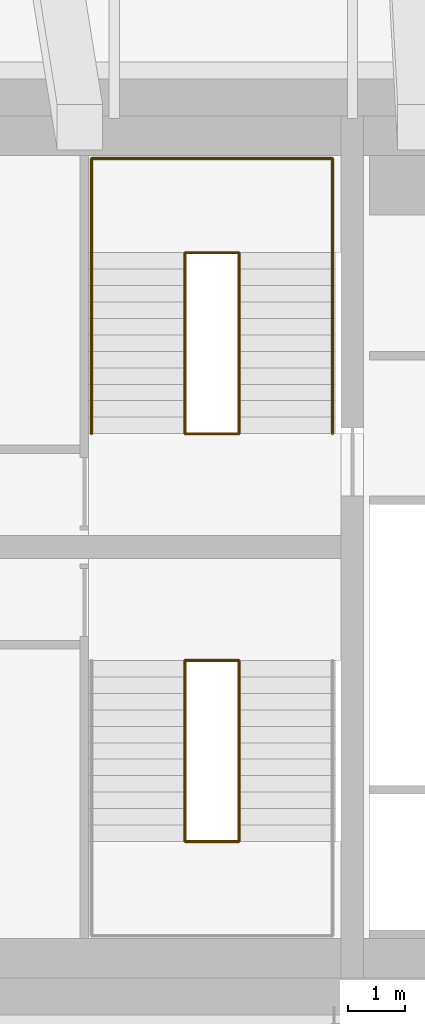
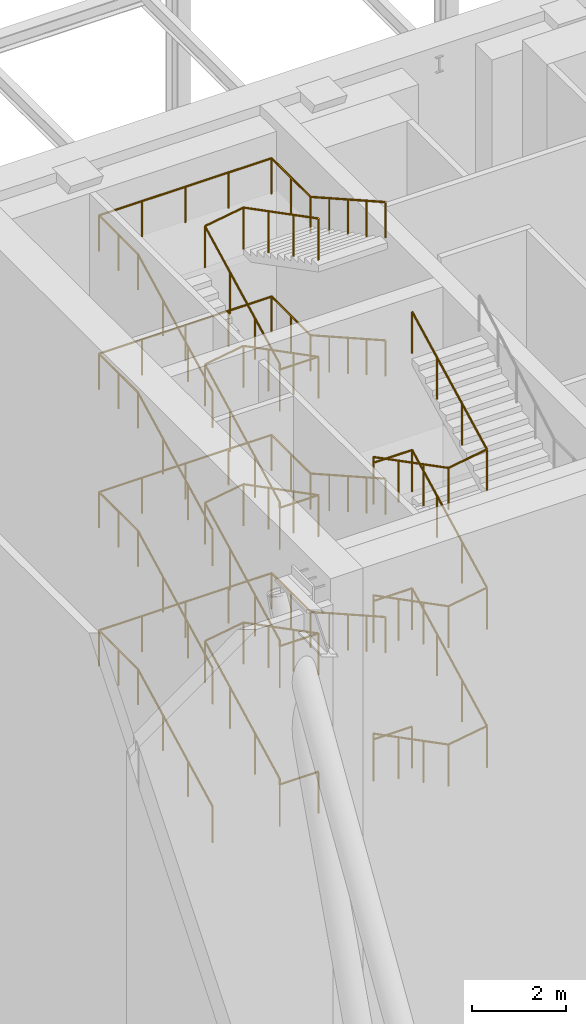
# One storey, part 17 of 20: 11 railings.
"""IFC4 building model written with IfcOpenShell, lengths in metres."""

from ifc_helpers import new_model, si_unit, direction, frame, origin, origin_2d, place, context, subcontext, project, spatial, circle, extrude, material, type_object, element, save


model = new_model("IFC4")

# Units and contexts
model_context = context("Model", 3, precision=1e-05, world=origin(), true_north=direction((0.0, 1.0)))
body_context = subcontext(model_context, "Body", "Model", "MODEL_VIEW")
ifc_project = project(units=[si_unit("LENGTHUNIT", "METRE"), si_unit("AREAUNIT", "SQUARE_METRE"), si_unit("VOLUMEUNIT", "CUBIC_METRE"), si_unit("PLANEANGLEUNIT", "RADIAN"), si_unit("MASSUNIT", "GRAM", prefix="KILO")], contexts=[model_context])

# Site, building, storey
site_placement = place(None, origin())
site = spatial("IfcSite", under=ifc_project, at=site_placement, CompositionType="ELEMENT")
building_placement = place(site_placement, origin())
building = spatial("IfcBuilding", under=site, at=building_placement, Name="Marenta Gate Hotel Tower", CompositionType="ELEMENT")
storey_placement = place(building_placement, frame((0.0, 0.0, 252.5)))
storey = spatial("IfcBuildingStorey", under=building, at=storey_placement, Name="L60", CompositionType="ELEMENT", Elevation=252.5)

# Railings
ifc_material_1 = material(Name="Stainless steel", Category="steel")
railing_type_1 = type_object("IfcRailingType", Name="Core stair handrail 950", PredefinedType="HANDRAIL", material=ifc_material_1)
railing_1_placement = place(storey_placement, frame((-8.800048828125, 10.39990234375, 0.14990234375)))
element("IfcRailing", 1, at=railing_1_placement, inside=storey, type_object=railing_type_1, Name="HR-950 L60-KR-ST2-1", PredefinedType="HANDRAIL", context=body_context, shape_type="SweptSolid", body=[
    extrude(circle(Radius=0.02392578125, at=origin_2d()), frame((0.0, 0.0, 0.92578125), z_axis=(0.0, 0.888211904222, 0.459434013977), x_axis=(-1.0, 0.0, 0.0)), (0.0, 0.0, 1.0), 3.591796875),
    extrude(circle(Radius=0.02392578125, at=origin_2d()), frame((0.0, 3.190185546875, 2.576171875), z_axis=(0.0, 1.0, 0.0), x_axis=(-1.0, 0.0, 0.0)), (0.0, 0.0, 1.0), 1.659912109375),
    extrude(circle(Radius=0.02392578125, at=origin_2d()), frame((0.0, 4.85009765625, 2.576171875), z_axis=(1.0, 0.0, 0.0), x_axis=(0.0, 1.0, 0.0)), (0.0, 0.0, 1.0), 4.25),
    extrude(circle(Radius=0.02392578125, at=origin_2d()), frame((4.25, 4.85009765625, 2.576171875), z_axis=(0.0, -1.0, 0.0), x_axis=(1.0, 0.0, 0.0)), (0.0, 0.0, 1.0), 1.659912109375),
    extrude(circle(Radius=0.02392578125, at=origin_2d()), frame((4.25, 3.190185546875, 2.576171875), z_axis=(0.0, -0.870925075533, 0.491415824742), x_axis=(1.0, 0.0, 0.0)), (0.0, 0.0, 1.0), 3.6630859375),
    extrude(circle(Radius=0.02099609375, at=origin_2d()), origin(), (0.0, 0.0, 1.0), 0.90185546875),
    extrude(circle(Radius=0.02099609375, at=origin_2d()), frame((0.0, 1.0634765625, 0.550048828125)), (0.0, 0.0, 1.0), 0.90185546875),
    extrude(circle(Radius=0.02099609375, at=origin_2d()), frame((0.0, 2.126708984375, 1.10009765625)), (0.0, 0.0, 1.0), 0.90185546875),
    extrude(circle(Radius=0.02099609375, at=origin_2d()), frame((0.0, 3.190185546875, 1.650146484375)), (0.0, 0.0, 1.0), 0.90185546875),
    extrude(circle(Radius=0.02099609375, at=origin_2d()), frame((0.0, 4.02001953125, 1.650146484375)), (0.0, 0.0, 1.0), 0.90185546875),
    extrude(circle(Radius=0.02099609375, at=origin_2d()), frame((0.0, 4.85009765625, 1.650146484375)), (0.0, 0.0, 1.0), 0.90185546875),
    extrude(circle(Radius=0.02099609375, at=origin_2d()), frame((1.0625, 4.85009765625, 1.650146484375)), (0.0, 0.0, 1.0), 0.90185546875),
    extrude(circle(Radius=0.02099609375, at=origin_2d()), frame((2.125, 4.85009765625, 1.650146484375)), (0.0, 0.0, 1.0), 0.90185546875),
    extrude(circle(Radius=0.02099609375, at=origin_2d()), frame((3.1875, 4.85009765625, 1.650146484375)), (0.0, 0.0, 1.0), 0.90185546875),
    extrude(circle(Radius=0.02099609375, at=origin_2d()), frame((4.25, 4.85009765625, 1.650146484375)), (0.0, 0.0, 1.0), 0.90185546875),
    extrude(circle(Radius=0.02099609375, at=origin_2d()), frame((4.25, 4.02001953125, 1.650146484375)), (0.0, 0.0, 1.0), 0.90185546875),
    extrude(circle(Radius=0.02099609375, at=origin_2d()), frame((4.25, 3.190185546875, 1.650146484375)), (0.0, 0.0, 1.0), 0.90185546875),
    extrude(circle(Radius=0.02099609375, at=origin_2d()), frame((4.25, 2.392578125, 2.10009765625)), (0.0, 0.0, 1.0), 0.90185546875),
    extrude(circle(Radius=0.02099609375, at=origin_2d()), frame((4.25, 1.59521484375, 2.55029296875)), (0.0, 0.0, 1.0), 0.90185546875),
    extrude(circle(Radius=0.02099609375, at=origin_2d()), frame((4.25, 0.797607421875, 3.000244140625)), (0.0, 0.0, 1.0), 0.90185546875),
    extrude(circle(Radius=0.02099609375, at=origin_2d()), frame((4.25, 0.0, 3.4501953125)), (0.0, 0.0, 1.0), 0.90185546875),
])
railing_2_placement = place(storey_placement, frame((-8.800048828125, 10.39990234375, 3.75)))
element("IfcRailing", 2, at=railing_2_placement, inside=storey, type_object=railing_type_1, Name="HR-950 L60-KR-ST2-3", PredefinedType="HANDRAIL", context=body_context, shape_type="SweptSolid", body=[
    extrude(circle(Radius=0.02392578125, at=origin_2d()), frame((0.0, 0.0, 0.92578125), z_axis=(0.0, 0.888239641807, 0.459380385653), x_axis=(-1.0, 0.0, 0.0)), (0.0, 0.0, 1.0), 3.591552734375),
    extrude(circle(Radius=0.02392578125, at=origin_2d()), frame((0.0, 3.190185546875, 2.57568359375), z_axis=(0.0, 1.0, 0.0), x_axis=(-1.0, 0.0, 0.0)), (0.0, 0.0, 1.0), 1.659912109375),
    extrude(circle(Radius=0.02392578125, at=origin_2d()), frame((0.0, 4.85009765625, 2.57568359375), z_axis=(1.0, 0.0, 0.0), x_axis=(0.0, 1.0, 0.0)), (0.0, 0.0, 1.0), 4.25),
    extrude(circle(Radius=0.02392578125, at=origin_2d()), frame((4.25, 4.85009765625, 2.57568359375), z_axis=(0.0, -1.0, 0.0), x_axis=(1.0, 0.0, 0.0)), (0.0, 0.0, 1.0), 1.659912109375),
    extrude(circle(Radius=0.02392578125, at=origin_2d()), frame((4.25, 3.190185546875, 2.57568359375), z_axis=(0.0, -0.870925075533, 0.491415824742), x_axis=(1.0, 0.0, 0.0)), (0.0, 0.0, 1.0), 3.6630859375),
    extrude(circle(Radius=0.02099609375, at=origin_2d()), origin(), (0.0, 0.0, 1.0), 0.90185546875),
    extrude(circle(Radius=0.02099609375, at=origin_2d()), frame((0.0, 1.0634765625, 0.550048828125)), (0.0, 0.0, 1.0), 0.90185546875),
    extrude(circle(Radius=0.02099609375, at=origin_2d()), frame((0.0, 2.126708984375, 1.099853515625)), (0.0, 0.0, 1.0), 0.90185546875),
    extrude(circle(Radius=0.02099609375, at=origin_2d()), frame((0.0, 3.190185546875, 1.64990234375)), (0.0, 0.0, 1.0), 0.90185546875),
    extrude(circle(Radius=0.02099609375, at=origin_2d()), frame((0.0, 4.02001953125, 1.64990234375)), (0.0, 0.0, 1.0), 0.90185546875),
    extrude(circle(Radius=0.02099609375, at=origin_2d()), frame((0.0, 4.85009765625, 1.64990234375)), (0.0, 0.0, 1.0), 0.90185546875),
    extrude(circle(Radius=0.02099609375, at=origin_2d()), frame((1.0625, 4.85009765625, 1.64990234375)), (0.0, 0.0, 1.0), 0.90185546875),
    extrude(circle(Radius=0.02099609375, at=origin_2d()), frame((2.125, 4.85009765625, 1.64990234375)), (0.0, 0.0, 1.0), 0.90185546875),
    extrude(circle(Radius=0.02099609375, at=origin_2d()), frame((3.1875, 4.85009765625, 1.64990234375)), (0.0, 0.0, 1.0), 0.90185546875),
    extrude(circle(Radius=0.02099609375, at=origin_2d()), frame((4.25, 4.85009765625, 1.64990234375)), (0.0, 0.0, 1.0), 0.90185546875),
    extrude(circle(Radius=0.02099609375, at=origin_2d()), frame((4.25, 4.02001953125, 1.64990234375)), (0.0, 0.0, 1.0), 0.90185546875),
    extrude(circle(Radius=0.02099609375, at=origin_2d()), frame((4.25, 3.190185546875, 1.64990234375)), (0.0, 0.0, 1.0), 0.90185546875),
    extrude(circle(Radius=0.02099609375, at=origin_2d()), frame((4.25, 2.392578125, 2.099853515625)), (0.0, 0.0, 1.0), 0.90185546875),
    extrude(circle(Radius=0.02099609375, at=origin_2d()), frame((4.25, 1.59521484375, 2.5498046875)), (0.0, 0.0, 1.0), 0.90185546875),
    extrude(circle(Radius=0.02099609375, at=origin_2d()), frame((4.25, 0.797607421875, 3.0)), (0.0, 0.0, 1.0), 0.90185546875),
    extrude(circle(Radius=0.02099609375, at=origin_2d()), frame((4.25, 0.0, 3.449951171875)), (0.0, 0.0, 1.0), 0.90185546875),
])
railing_3_placement = place(storey_placement, frame((-8.800048828125, 10.39990234375, 7.35009765625)))
element("IfcRailing", 3, at=railing_3_placement, inside=storey, type_object=railing_type_1, Name="HR-950 L60-KR-ST2-5", PredefinedType="HANDRAIL", context=body_context, shape_type="SweptSolid", body=[
    extrude(circle(Radius=0.02392578125, at=origin_2d()), frame((0.0, 0.0, 0.92578125), z_axis=(0.0, 0.888239641807, 0.459380385653), x_axis=(-1.0, 0.0, 0.0)), (0.0, 0.0, 1.0), 3.591552734375),
    extrude(circle(Radius=0.02392578125, at=origin_2d()), frame((0.0, 3.190185546875, 2.57568359375), z_axis=(0.0, 1.0, 0.0), x_axis=(-1.0, 0.0, 0.0)), (0.0, 0.0, 1.0), 1.659912109375),
    extrude(circle(Radius=0.02392578125, at=origin_2d()), frame((0.0, 4.85009765625, 2.57568359375), z_axis=(1.0, 0.0, 0.0), x_axis=(0.0, 1.0, 0.0)), (0.0, 0.0, 1.0), 4.25),
    extrude(circle(Radius=0.02392578125, at=origin_2d()), frame((4.25, 4.85009765625, 2.57568359375), z_axis=(0.0, -1.0, 0.0), x_axis=(1.0, 0.0, 0.0)), (0.0, 0.0, 1.0), 1.659912109375),
    extrude(circle(Radius=0.02392578125, at=origin_2d()), frame((4.25, 3.190185546875, 2.57568359375), z_axis=(0.0, -0.870925075533, 0.491415824742), x_axis=(1.0, 0.0, 0.0)), (0.0, 0.0, 1.0), 3.6630859375),
    extrude(circle(Radius=0.02099609375, at=origin_2d()), origin(), (0.0, 0.0, 1.0), 0.90185546875),
    extrude(circle(Radius=0.02099609375, at=origin_2d()), frame((0.0, 1.0634765625, 0.550048828125)), (0.0, 0.0, 1.0), 0.90185546875),
    extrude(circle(Radius=0.02099609375, at=origin_2d()), frame((0.0, 2.126708984375, 1.099853515625)), (0.0, 0.0, 1.0), 0.90185546875),
    extrude(circle(Radius=0.02099609375, at=origin_2d()), frame((0.0, 3.190185546875, 1.64990234375)), (0.0, 0.0, 1.0), 0.90185546875),
    extrude(circle(Radius=0.02099609375, at=origin_2d()), frame((0.0, 4.02001953125, 1.64990234375)), (0.0, 0.0, 1.0), 0.90185546875),
    extrude(circle(Radius=0.02099609375, at=origin_2d()), frame((0.0, 4.85009765625, 1.64990234375)), (0.0, 0.0, 1.0), 0.90185546875),
    extrude(circle(Radius=0.02099609375, at=origin_2d()), frame((1.0625, 4.85009765625, 1.64990234375)), (0.0, 0.0, 1.0), 0.90185546875),
    extrude(circle(Radius=0.02099609375, at=origin_2d()), frame((2.125, 4.85009765625, 1.64990234375)), (0.0, 0.0, 1.0), 0.90185546875),
    extrude(circle(Radius=0.02099609375, at=origin_2d()), frame((3.1875, 4.85009765625, 1.64990234375)), (0.0, 0.0, 1.0), 0.90185546875),
    extrude(circle(Radius=0.02099609375, at=origin_2d()), frame((4.25, 4.85009765625, 1.64990234375)), (0.0, 0.0, 1.0), 0.90185546875),
    extrude(circle(Radius=0.02099609375, at=origin_2d()), frame((4.25, 4.02001953125, 1.64990234375)), (0.0, 0.0, 1.0), 0.90185546875),
    extrude(circle(Radius=0.02099609375, at=origin_2d()), frame((4.25, 3.190185546875, 1.64990234375)), (0.0, 0.0, 1.0), 0.90185546875),
    extrude(circle(Radius=0.02099609375, at=origin_2d()), frame((4.25, 2.392578125, 2.099853515625)), (0.0, 0.0, 1.0), 0.90185546875),
    extrude(circle(Radius=0.02099609375, at=origin_2d()), frame((4.25, 1.59521484375, 2.5498046875)), (0.0, 0.0, 1.0), 0.90185546875),
    extrude(circle(Radius=0.02099609375, at=origin_2d()), frame((4.25, 0.797607421875, 3.0)), (0.0, 0.0, 1.0), 0.90185546875),
    extrude(circle(Radius=0.02099609375, at=origin_2d()), frame((4.25, 0.0, 3.449951171875)), (0.0, 0.0, 1.0), 0.90185546875),
])
railing_4_placement = place(storey_placement, frame((-8.800048828125, 10.39990234375, 10.949951171875)))
element("IfcRailing", 4, at=railing_4_placement, inside=storey, type_object=railing_type_1, Name="HR-950 L60-KR-ST2-7", PredefinedType="HANDRAIL", context=body_context, shape_type="SweptSolid", body=[
    extrude(circle(Radius=0.02392578125, at=origin_2d()), frame((0.0, 0.0, 0.92578125), z_axis=(0.0, 0.888211904222, 0.459434013977), x_axis=(-1.0, 0.0, 0.0)), (0.0, 0.0, 1.0), 3.591796875),
    extrude(circle(Radius=0.02392578125, at=origin_2d()), frame((0.0, 3.190185546875, 2.576171875), z_axis=(0.0, 1.0, 0.0), x_axis=(-1.0, 0.0, 0.0)), (0.0, 0.0, 1.0), 1.659912109375),
    extrude(circle(Radius=0.02392578125, at=origin_2d()), frame((0.0, 4.85009765625, 2.576171875), z_axis=(1.0, 0.0, 0.0), x_axis=(0.0, 1.0, 0.0)), (0.0, 0.0, 1.0), 4.25),
    extrude(circle(Radius=0.02392578125, at=origin_2d()), frame((4.25, 4.85009765625, 2.576171875), z_axis=(0.0, -1.0, 0.0), x_axis=(1.0, 0.0, 0.0)), (0.0, 0.0, 1.0), 1.659912109375),
    extrude(circle(Radius=0.02392578125, at=origin_2d()), frame((4.25, 3.190185546875, 2.576171875), z_axis=(0.0, -0.870953600603, 0.491365266982), x_axis=(1.0, 0.0, 0.0)), (0.0, 0.0, 1.0), 3.662841796875),
    extrude(circle(Radius=0.02099609375, at=origin_2d()), origin(), (0.0, 0.0, 1.0), 0.90185546875),
    extrude(circle(Radius=0.02099609375, at=origin_2d()), frame((0.0, 1.0634765625, 0.550048828125)), (0.0, 0.0, 1.0), 0.90185546875),
    extrude(circle(Radius=0.02099609375, at=origin_2d()), frame((0.0, 2.126708984375, 1.10009765625)), (0.0, 0.0, 1.0), 0.90185546875),
    extrude(circle(Radius=0.02099609375, at=origin_2d()), frame((0.0, 3.190185546875, 1.650146484375)), (0.0, 0.0, 1.0), 0.90185546875),
    extrude(circle(Radius=0.02099609375, at=origin_2d()), frame((0.0, 4.02001953125, 1.650146484375)), (0.0, 0.0, 1.0), 0.90185546875),
    extrude(circle(Radius=0.02099609375, at=origin_2d()), frame((0.0, 4.85009765625, 1.650146484375)), (0.0, 0.0, 1.0), 0.90185546875),
    extrude(circle(Radius=0.02099609375, at=origin_2d()), frame((1.0625, 4.85009765625, 1.650146484375)), (0.0, 0.0, 1.0), 0.90185546875),
    extrude(circle(Radius=0.02099609375, at=origin_2d()), frame((2.125, 4.85009765625, 1.650146484375)), (0.0, 0.0, 1.0), 0.90185546875),
    extrude(circle(Radius=0.02099609375, at=origin_2d()), frame((3.1875, 4.85009765625, 1.650146484375)), (0.0, 0.0, 1.0), 0.90185546875),
    extrude(circle(Radius=0.02099609375, at=origin_2d()), frame((4.25, 4.85009765625, 1.650146484375)), (0.0, 0.0, 1.0), 0.90185546875),
    extrude(circle(Radius=0.02099609375, at=origin_2d()), frame((4.25, 4.02001953125, 1.650146484375)), (0.0, 0.0, 1.0), 0.90185546875),
    extrude(circle(Radius=0.02099609375, at=origin_2d()), frame((4.25, 3.190185546875, 1.650146484375)), (0.0, 0.0, 1.0), 0.90185546875),
    extrude(circle(Radius=0.02099609375, at=origin_2d()), frame((4.25, 2.392578125, 2.10009765625)), (0.0, 0.0, 1.0), 0.90185546875),
    extrude(circle(Radius=0.02099609375, at=origin_2d()), frame((4.25, 1.59521484375, 2.550048828125)), (0.0, 0.0, 1.0), 0.90185546875),
    extrude(circle(Radius=0.02099609375, at=origin_2d()), frame((4.25, 0.797607421875, 3.0)), (0.0, 0.0, 1.0), 0.90185546875),
    extrude(circle(Radius=0.02099609375, at=origin_2d()), frame((4.25, 0.0, 3.449951171875)), (0.0, 0.0, 1.0), 0.90185546875),
])
ifc_material_2 = material(Name="Stainless steel", Category="steel")
railing_type_2 = type_object("IfcRailingType", Name="Core stair well guard 1100", PredefinedType="GUARDRAIL", material=ifc_material_2)
railing_5_placement = place(storey_placement, frame((-6.199951171875, 6.39990234375, 3.60009765625)))
element("IfcRailing", 5, at=railing_5_placement, inside=storey, type_object=railing_type_2, Name="GR-1100 L60-KR-ST1-4", PredefinedType="GUARDRAIL", context=body_context, shape_type="SweptSolid", body=[
    extrude(circle(Radius=0.02392578125, at=origin_2d()), frame((0.0, 0.0, 1.076171875), z_axis=(-1.0, 0.0, 0.0), x_axis=(0.0, -1.0, 0.0)), (0.0, 0.0, 1.0), 0.949951171875),
    extrude(circle(Radius=0.02392578125, at=origin_2d()), frame((-0.949951171875, 0.0, 1.076171875), z_axis=(0.0, 0.0, 1.0), x_axis=(1.0, 0.0, 0.0)), (0.0, 0.0, 1.0), 0.14990234375),
    extrude(circle(Radius=0.02392578125, at=origin_2d()), frame((-0.949951171875, 0.0, 1.22607421875), z_axis=(0.0, -0.888225295554, 0.459408123936), x_axis=(1.0, 0.0, 0.0)), (0.0, 0.0, 1.0), 3.59130859375),
    extrude(circle(Radius=0.02392578125, at=origin_2d()), frame((-0.949951171875, -3.18994140625, 2.8759765625), z_axis=(0.987738253826, 0.0, 0.156118999255), x_axis=(0.0, 1.0, 0.0)), (0.0, 0.0, 1.0), 0.961669921875),
    extrude(circle(Radius=0.02392578125, at=origin_2d()), frame((0.0, -3.18994140625, 3.02587890625), z_axis=(0.0, 0.888225295554, 0.459408123936), x_axis=(-1.0, 0.0, 0.0)), (0.0, 0.0, 1.0), 3.59130859375),
    extrude(circle(Radius=0.02099609375, at=origin_2d()), origin(), (0.0, 0.0, 1.0), 1.052001953125),
    extrude(circle(Radius=0.02099609375, at=origin_2d()), frame((-0.949951171875, 0.0, 0.0)), (0.0, 0.0, 1.0), 1.052001953125),
    extrude(circle(Radius=0.02099609375, at=origin_2d()), frame((-0.949951171875, 0.0, 0.14990234375)), (0.0, 0.0, 1.0), 1.052001953125),
    extrude(circle(Radius=0.02099609375, at=origin_2d()), frame((-0.949951171875, -1.063232421875, 0.699951171875)), (0.0, 0.0, 1.0), 1.052001953125),
    extrude(circle(Radius=0.02099609375, at=origin_2d()), frame((-0.949951171875, -2.126708984375, 1.249755859375)), (0.0, 0.0, 1.0), 1.052001953125),
    extrude(circle(Radius=0.02099609375, at=origin_2d()), frame((-0.949951171875, -3.18994140625, 1.7998046875)), (0.0, 0.0, 1.0), 1.052001953125),
    extrude(circle(Radius=0.02099609375, at=origin_2d()), frame((0.0, -3.18994140625, 1.949951171875)), (0.0, 0.0, 1.0), 1.052001953125),
    extrude(circle(Radius=0.02099609375, at=origin_2d()), frame((0.0, -2.126708984375, 2.5)), (0.0, 0.0, 1.0), 1.052001953125),
    extrude(circle(Radius=0.02099609375, at=origin_2d()), frame((0.0, -1.063232421875, 3.0498046875)), (0.0, 0.0, 1.0), 1.052001953125),
    extrude(circle(Radius=0.02099609375, at=origin_2d()), frame((0.0, 0.0, 3.599853515625)), (0.0, 0.0, 1.0), 1.052001953125),
])
railing_6_placement = place(storey_placement, frame((-6.199951171875, 6.39990234375, 7.199951171875)))
element("IfcRailing", 6, at=railing_6_placement, inside=storey, type_object=railing_type_2, Name="GR-1100 L60-KR-ST1-6", PredefinedType="GUARDRAIL", context=body_context, shape_type="SweptSolid", body=[
    extrude(circle(Radius=0.02392578125, at=origin_2d()), frame((0.0, 0.0, 1.076171875), z_axis=(-1.0, 0.0, 0.0), x_axis=(0.0, -1.0, 0.0)), (0.0, 0.0, 1.0), 0.949951171875),
    extrude(circle(Radius=0.02392578125, at=origin_2d()), frame((-0.949951171875, 0.0, 1.076171875), z_axis=(0.0, 0.0, 1.0), x_axis=(1.0, 0.0, 0.0)), (0.0, 0.0, 1.0), 0.150146484375),
    extrude(circle(Radius=0.02392578125, at=origin_2d()), frame((-0.949951171875, 0.0, 1.22607421875), z_axis=(0.0, -0.888225295554, 0.459408123936), x_axis=(1.0, 0.0, 0.0)), (0.0, 0.0, 1.0), 3.59130859375),
    extrude(circle(Radius=0.02392578125, at=origin_2d()), frame((-0.949951171875, -3.18994140625, 2.8759765625), z_axis=(0.987777369502, 0.0, 0.15587131968), x_axis=(0.0, 1.0, 0.0)), (0.0, 0.0, 1.0), 0.961669921875),
    extrude(circle(Radius=0.02392578125, at=origin_2d()), frame((0.0, -3.18994140625, 3.02587890625), z_axis=(0.0, 0.888197555067, 0.459461753765), x_axis=(-1.0, 0.0, 0.0)), (0.0, 0.0, 1.0), 3.591552734375),
    extrude(circle(Radius=0.02099609375, at=origin_2d()), origin(), (0.0, 0.0, 1.0), 1.052001953125),
    extrude(circle(Radius=0.02099609375, at=origin_2d()), frame((-0.949951171875, 0.0, 0.0)), (0.0, 0.0, 1.0), 1.052001953125),
    extrude(circle(Radius=0.02099609375, at=origin_2d()), frame((-0.949951171875, 0.0, 0.150146484375)), (0.0, 0.0, 1.0), 1.052001953125),
    extrude(circle(Radius=0.02099609375, at=origin_2d()), frame((-0.949951171875, -1.063232421875, 0.7001953125)), (0.0, 0.0, 1.0), 1.052001953125),
    extrude(circle(Radius=0.02099609375, at=origin_2d()), frame((-0.949951171875, -2.126708984375, 1.25)), (0.0, 0.0, 1.0), 1.052001953125),
    extrude(circle(Radius=0.02099609375, at=origin_2d()), frame((-0.949951171875, -3.18994140625, 1.800048828125)), (0.0, 0.0, 1.0), 1.052001953125),
    extrude(circle(Radius=0.02099609375, at=origin_2d()), frame((0.0, -3.18994140625, 1.949951171875)), (0.0, 0.0, 1.0), 1.052001953125),
    extrude(circle(Radius=0.02099609375, at=origin_2d()), frame((0.0, -2.126708984375, 2.5)), (0.0, 0.0, 1.0), 1.052001953125),
    extrude(circle(Radius=0.02099609375, at=origin_2d()), frame((0.0, -1.063232421875, 3.050048828125)), (0.0, 0.0, 1.0), 1.052001953125),
    extrude(circle(Radius=0.02099609375, at=origin_2d()), frame((0.0, 0.0, 3.60009765625)), (0.0, 0.0, 1.0), 1.052001953125),
])
railing_7_placement = place(storey_placement, frame((-6.199951171875, 6.39990234375, 10.800048828125)))
element("IfcRailing", 7, at=railing_7_placement, inside=storey, type_object=railing_type_2, Name="GR-1100 L60-KR-ST1-8", PredefinedType="GUARDRAIL", context=body_context, shape_type="SweptSolid", body=[
    extrude(circle(Radius=0.02392578125, at=origin_2d()), frame((0.0, 0.0, 1.076171875), z_axis=(-1.0, 0.0, 0.0), x_axis=(0.0, -1.0, 0.0)), (0.0, 0.0, 1.0), 0.949951171875),
    extrude(circle(Radius=0.02392578125, at=origin_2d()), frame((-0.949951171875, 0.0, 1.076171875), z_axis=(0.0, 0.0, 1.0), x_axis=(1.0, 0.0, 0.0)), (0.0, 0.0, 1.0), 0.14990234375),
    extrude(circle(Radius=0.02392578125, at=origin_2d()), frame((-0.949951171875, 0.0, 1.22607421875), z_axis=(0.0, -0.888197555067, 0.459461753765), x_axis=(1.0, 0.0, 0.0)), (0.0, 0.0, 1.0), 3.591552734375),
    extrude(circle(Radius=0.02392578125, at=origin_2d()), frame((-0.949951171875, -3.18994140625, 2.8759765625), z_axis=(0.987777369502, 0.0, 0.15587131968), x_axis=(0.0, 1.0, 0.0)), (0.0, 0.0, 1.0), 0.961669921875),
    extrude(circle(Radius=0.02392578125, at=origin_2d()), frame((0.0, -3.18994140625, 3.02587890625), z_axis=(0.0, 0.888225295554, 0.459408123936), x_axis=(-1.0, 0.0, 0.0)), (0.0, 0.0, 1.0), 3.59130859375),
    extrude(circle(Radius=0.02099609375, at=origin_2d()), origin(), (0.0, 0.0, 1.0), 1.052001953125),
    extrude(circle(Radius=0.02099609375, at=origin_2d()), frame((-0.949951171875, 0.0, 0.0)), (0.0, 0.0, 1.0), 1.052001953125),
    extrude(circle(Radius=0.02099609375, at=origin_2d()), frame((-0.949951171875, 0.0, 0.14990234375)), (0.0, 0.0, 1.0), 1.052001953125),
    extrude(circle(Radius=0.02099609375, at=origin_2d()), frame((-0.949951171875, -1.063232421875, 0.699951171875)), (0.0, 0.0, 1.0), 1.052001953125),
    extrude(circle(Radius=0.02099609375, at=origin_2d()), frame((-0.949951171875, -2.126708984375, 1.25)), (0.0, 0.0, 1.0), 1.052001953125),
    extrude(circle(Radius=0.02099609375, at=origin_2d()), frame((-0.949951171875, -3.18994140625, 1.800048828125)), (0.0, 0.0, 1.0), 1.052001953125),
    extrude(circle(Radius=0.02099609375, at=origin_2d()), frame((0.0, -3.18994140625, 1.949951171875)), (0.0, 0.0, 1.0), 1.052001953125),
    extrude(circle(Radius=0.02099609375, at=origin_2d()), frame((0.0, -2.126708984375, 2.5)), (0.0, 0.0, 1.0), 1.052001953125),
    extrude(circle(Radius=0.02099609375, at=origin_2d()), frame((0.0, -1.063232421875, 3.0498046875)), (0.0, 0.0, 1.0), 1.052001953125),
    extrude(circle(Radius=0.02099609375, at=origin_2d()), frame((0.0, 0.0, 3.599853515625)), (0.0, 0.0, 1.0), 1.052001953125),
])
railing_8_placement = place(storey_placement, frame((-6.199951171875, 10.39990234375, 0.0)))
element("IfcRailing", 8, at=railing_8_placement, inside=storey, type_object=railing_type_2, Name="GR-1100 L60-KR-ST2-2", PredefinedType="GUARDRAIL", context=body_context, shape_type="SweptSolid", body=[
    extrude(circle(Radius=0.02392578125, at=origin_2d()), frame((0.0, 0.0, 1.076171875), z_axis=(-1.0, 0.0, 0.0), x_axis=(0.0, -1.0, 0.0)), (0.0, 0.0, 1.0), 0.949951171875),
    extrude(circle(Radius=0.02392578125, at=origin_2d()), frame((-0.949951171875, 0.0, 1.076171875), z_axis=(0.0, 0.0, 1.0), x_axis=(1.0, 0.0, 0.0)), (0.0, 0.0, 1.0), 0.14990234375),
    extrude(circle(Radius=0.02392578125, at=origin_2d()), frame((-0.949951171875, 0.0, 1.22607421875), z_axis=(0.0, 0.888211904222, 0.459434013977), x_axis=(-1.0, 0.0, 0.0)), (0.0, 0.0, 1.0), 3.591796875),
    extrude(circle(Radius=0.02392578125, at=origin_2d()), frame((-0.949951171875, 3.190185546875, 2.8759765625), z_axis=(0.987777369502, 0.0, 0.15587131968), x_axis=(0.0, 1.0, 0.0)), (0.0, 0.0, 1.0), 0.961669921875),
    extrude(circle(Radius=0.02392578125, at=origin_2d()), frame((0.0, 3.190185546875, 3.02587890625), z_axis=(0.0, -0.888211904222, 0.459434013977), x_axis=(1.0, 0.0, 0.0)), (0.0, 0.0, 1.0), 3.591796875),
    extrude(circle(Radius=0.02099609375, at=origin_2d()), origin(), (0.0, 0.0, 1.0), 1.052001953125),
    extrude(circle(Radius=0.02099609375, at=origin_2d()), frame((-0.949951171875, 0.0, 0.0)), (0.0, 0.0, 1.0), 1.052001953125),
    extrude(circle(Radius=0.02099609375, at=origin_2d()), frame((-0.949951171875, 0.0, 0.14990234375)), (0.0, 0.0, 1.0), 1.052001953125),
    extrude(circle(Radius=0.02099609375, at=origin_2d()), frame((-0.949951171875, 1.0634765625, 0.699951171875)), (0.0, 0.0, 1.0), 1.052001953125),
    extrude(circle(Radius=0.02099609375, at=origin_2d()), frame((-0.949951171875, 2.126708984375, 1.25)), (0.0, 0.0, 1.0), 1.052001953125),
    extrude(circle(Radius=0.02099609375, at=origin_2d()), frame((-0.949951171875, 3.190185546875, 1.800048828125)), (0.0, 0.0, 1.0), 1.052001953125),
    extrude(circle(Radius=0.02099609375, at=origin_2d()), frame((0.0, 3.190185546875, 1.949951171875)), (0.0, 0.0, 1.0), 1.052001953125),
    extrude(circle(Radius=0.02099609375, at=origin_2d()), frame((0.0, 2.126708984375, 2.5)), (0.0, 0.0, 1.0), 1.052001953125),
    extrude(circle(Radius=0.02099609375, at=origin_2d()), frame((0.0, 1.0634765625, 3.050048828125)), (0.0, 0.0, 1.0), 1.052001953125),
    extrude(circle(Radius=0.02099609375, at=origin_2d()), frame((0.0, 0.0, 3.60009765625)), (0.0, 0.0, 1.0), 1.052001953125),
])
railing_9_placement = place(storey_placement, frame((-6.199951171875, 10.39990234375, 3.60009765625)))
element("IfcRailing", 9, at=railing_9_placement, inside=storey, type_object=railing_type_2, Name="GR-1100 L60-KR-ST2-4", PredefinedType="GUARDRAIL", context=body_context, shape_type="SweptSolid", body=[
    extrude(circle(Radius=0.02392578125, at=origin_2d()), frame((0.0, 0.0, 1.076171875), z_axis=(-1.0, 0.0, 0.0), x_axis=(0.0, -1.0, 0.0)), (0.0, 0.0, 1.0), 0.949951171875),
    extrude(circle(Radius=0.02392578125, at=origin_2d()), frame((-0.949951171875, 0.0, 1.076171875), z_axis=(0.0, 0.0, 1.0), x_axis=(1.0, 0.0, 0.0)), (0.0, 0.0, 1.0), 0.14990234375),
    extrude(circle(Radius=0.02392578125, at=origin_2d()), frame((-0.949951171875, 0.0, 1.22607421875), z_axis=(0.0, 0.888239641807, 0.459380385653), x_axis=(-1.0, 0.0, 0.0)), (0.0, 0.0, 1.0), 3.591552734375),
    extrude(circle(Radius=0.02392578125, at=origin_2d()), frame((-0.949951171875, 3.190185546875, 2.8759765625), z_axis=(0.987738253826, 0.0, 0.156118999255), x_axis=(0.0, 1.0, 0.0)), (0.0, 0.0, 1.0), 0.961669921875),
    extrude(circle(Radius=0.02392578125, at=origin_2d()), frame((0.0, 3.190185546875, 3.02587890625), z_axis=(0.0, -0.888239641807, 0.459380385653), x_axis=(1.0, 0.0, 0.0)), (0.0, 0.0, 1.0), 3.591552734375),
    extrude(circle(Radius=0.02099609375, at=origin_2d()), origin(), (0.0, 0.0, 1.0), 1.052001953125),
    extrude(circle(Radius=0.02099609375, at=origin_2d()), frame((-0.949951171875, 0.0, 0.0)), (0.0, 0.0, 1.0), 1.052001953125),
    extrude(circle(Radius=0.02099609375, at=origin_2d()), frame((-0.949951171875, 0.0, 0.14990234375)), (0.0, 0.0, 1.0), 1.052001953125),
    extrude(circle(Radius=0.02099609375, at=origin_2d()), frame((-0.949951171875, 1.0634765625, 0.699951171875)), (0.0, 0.0, 1.0), 1.052001953125),
    extrude(circle(Radius=0.02099609375, at=origin_2d()), frame((-0.949951171875, 2.126708984375, 1.249755859375)), (0.0, 0.0, 1.0), 1.052001953125),
    extrude(circle(Radius=0.02099609375, at=origin_2d()), frame((-0.949951171875, 3.190185546875, 1.7998046875)), (0.0, 0.0, 1.0), 1.052001953125),
    extrude(circle(Radius=0.02099609375, at=origin_2d()), frame((0.0, 3.190185546875, 1.949951171875)), (0.0, 0.0, 1.0), 1.052001953125),
    extrude(circle(Radius=0.02099609375, at=origin_2d()), frame((0.0, 2.126708984375, 2.5)), (0.0, 0.0, 1.0), 1.052001953125),
    extrude(circle(Radius=0.02099609375, at=origin_2d()), frame((0.0, 1.0634765625, 3.0498046875)), (0.0, 0.0, 1.0), 1.052001953125),
    extrude(circle(Radius=0.02099609375, at=origin_2d()), frame((0.0, 0.0, 3.599853515625)), (0.0, 0.0, 1.0), 1.052001953125),
])
railing_10_placement = place(storey_placement, frame((-6.199951171875, 10.39990234375, 7.199951171875)))
element("IfcRailing", 10, at=railing_10_placement, inside=storey, type_object=railing_type_2, Name="GR-1100 L60-KR-ST2-6", PredefinedType="GUARDRAIL", context=body_context, shape_type="SweptSolid", body=[
    extrude(circle(Radius=0.02392578125, at=origin_2d()), frame((0.0, 0.0, 1.076171875), z_axis=(-1.0, 0.0, 0.0), x_axis=(0.0, -1.0, 0.0)), (0.0, 0.0, 1.0), 0.949951171875),
    extrude(circle(Radius=0.02392578125, at=origin_2d()), frame((-0.949951171875, 0.0, 1.076171875), z_axis=(0.0, 0.0, 1.0), x_axis=(1.0, 0.0, 0.0)), (0.0, 0.0, 1.0), 0.150146484375),
    extrude(circle(Radius=0.02392578125, at=origin_2d()), frame((-0.949951171875, 0.0, 1.22607421875), z_axis=(0.0, 0.888239641807, 0.459380385653), x_axis=(-1.0, 0.0, 0.0)), (0.0, 0.0, 1.0), 3.591552734375),
    extrude(circle(Radius=0.02392578125, at=origin_2d()), frame((-0.949951171875, 3.190185546875, 2.8759765625), z_axis=(0.987777369502, 0.0, 0.15587131968), x_axis=(0.0, 1.0, 0.0)), (0.0, 0.0, 1.0), 0.961669921875),
    extrude(circle(Radius=0.02392578125, at=origin_2d()), frame((0.0, 3.190185546875, 3.02587890625), z_axis=(0.0, -0.888211904222, 0.459434013977), x_axis=(1.0, 0.0, 0.0)), (0.0, 0.0, 1.0), 3.591796875),
    extrude(circle(Radius=0.02099609375, at=origin_2d()), origin(), (0.0, 0.0, 1.0), 1.052001953125),
    extrude(circle(Radius=0.02099609375, at=origin_2d()), frame((-0.949951171875, 0.0, 0.0)), (0.0, 0.0, 1.0), 1.052001953125),
    extrude(circle(Radius=0.02099609375, at=origin_2d()), frame((-0.949951171875, 0.0, 0.150146484375)), (0.0, 0.0, 1.0), 1.052001953125),
    extrude(circle(Radius=0.02099609375, at=origin_2d()), frame((-0.949951171875, 1.0634765625, 0.7001953125)), (0.0, 0.0, 1.0), 1.052001953125),
    extrude(circle(Radius=0.02099609375, at=origin_2d()), frame((-0.949951171875, 2.126708984375, 1.25)), (0.0, 0.0, 1.0), 1.052001953125),
    extrude(circle(Radius=0.02099609375, at=origin_2d()), frame((-0.949951171875, 3.190185546875, 1.800048828125)), (0.0, 0.0, 1.0), 1.052001953125),
    extrude(circle(Radius=0.02099609375, at=origin_2d()), frame((0.0, 3.190185546875, 1.949951171875)), (0.0, 0.0, 1.0), 1.052001953125),
    extrude(circle(Radius=0.02099609375, at=origin_2d()), frame((0.0, 2.126708984375, 2.5)), (0.0, 0.0, 1.0), 1.052001953125),
    extrude(circle(Radius=0.02099609375, at=origin_2d()), frame((0.0, 1.0634765625, 3.050048828125)), (0.0, 0.0, 1.0), 1.052001953125),
    extrude(circle(Radius=0.02099609375, at=origin_2d()), frame((0.0, 0.0, 3.60009765625)), (0.0, 0.0, 1.0), 1.052001953125),
])
railing_11_placement = place(storey_placement, frame((-6.199951171875, 10.39990234375, 10.800048828125)))
element("IfcRailing", 11, at=railing_11_placement, inside=storey, type_object=railing_type_2, Name="GR-1100 L60-KR-ST2-8", PredefinedType="GUARDRAIL", context=body_context, shape_type="SweptSolid", body=[
    extrude(circle(Radius=0.02392578125, at=origin_2d()), frame((0.0, 0.0, 1.076171875), z_axis=(-1.0, 0.0, 0.0), x_axis=(0.0, -1.0, 0.0)), (0.0, 0.0, 1.0), 0.949951171875),
    extrude(circle(Radius=0.02392578125, at=origin_2d()), frame((-0.949951171875, 0.0, 1.076171875), z_axis=(0.0, 0.0, 1.0), x_axis=(1.0, 0.0, 0.0)), (0.0, 0.0, 1.0), 0.14990234375),
    extrude(circle(Radius=0.02392578125, at=origin_2d()), frame((-0.949951171875, 0.0, 1.22607421875), z_axis=(0.0, 0.888211904222, 0.459434013977), x_axis=(-1.0, 0.0, 0.0)), (0.0, 0.0, 1.0), 3.591796875),
    extrude(circle(Radius=0.02392578125, at=origin_2d()), frame((-0.949951171875, 3.190185546875, 2.8759765625), z_axis=(0.987777369502, 0.0, 0.15587131968), x_axis=(0.0, 1.0, 0.0)), (0.0, 0.0, 1.0), 0.961669921875),
    extrude(circle(Radius=0.02392578125, at=origin_2d()), frame((0.0, 3.190185546875, 3.02587890625), z_axis=(0.0, -0.888239641807, 0.459380385653), x_axis=(1.0, 0.0, 0.0)), (0.0, 0.0, 1.0), 3.591552734375),
    extrude(circle(Radius=0.02099609375, at=origin_2d()), origin(), (0.0, 0.0, 1.0), 1.052001953125),
    extrude(circle(Radius=0.02099609375, at=origin_2d()), frame((-0.949951171875, 0.0, 0.0)), (0.0, 0.0, 1.0), 1.052001953125),
    extrude(circle(Radius=0.02099609375, at=origin_2d()), frame((-0.949951171875, 0.0, 0.14990234375)), (0.0, 0.0, 1.0), 1.052001953125),
    extrude(circle(Radius=0.02099609375, at=origin_2d()), frame((-0.949951171875, 1.0634765625, 0.699951171875)), (0.0, 0.0, 1.0), 1.052001953125),
    extrude(circle(Radius=0.02099609375, at=origin_2d()), frame((-0.949951171875, 2.126708984375, 1.25)), (0.0, 0.0, 1.0), 1.052001953125),
    extrude(circle(Radius=0.02099609375, at=origin_2d()), frame((-0.949951171875, 3.190185546875, 1.800048828125)), (0.0, 0.0, 1.0), 1.052001953125),
    extrude(circle(Radius=0.02099609375, at=origin_2d()), frame((0.0, 3.190185546875, 1.949951171875)), (0.0, 0.0, 1.0), 1.052001953125),
    extrude(circle(Radius=0.02099609375, at=origin_2d()), frame((0.0, 2.126708984375, 2.5)), (0.0, 0.0, 1.0), 1.052001953125),
    extrude(circle(Radius=0.02099609375, at=origin_2d()), frame((0.0, 1.0634765625, 3.0498046875)), (0.0, 0.0, 1.0), 1.052001953125),
    extrude(circle(Radius=0.02099609375, at=origin_2d()), frame((0.0, 0.0, 3.599853515625)), (0.0, 0.0, 1.0), 1.052001953125),
])

save(model, "model.ifc")
